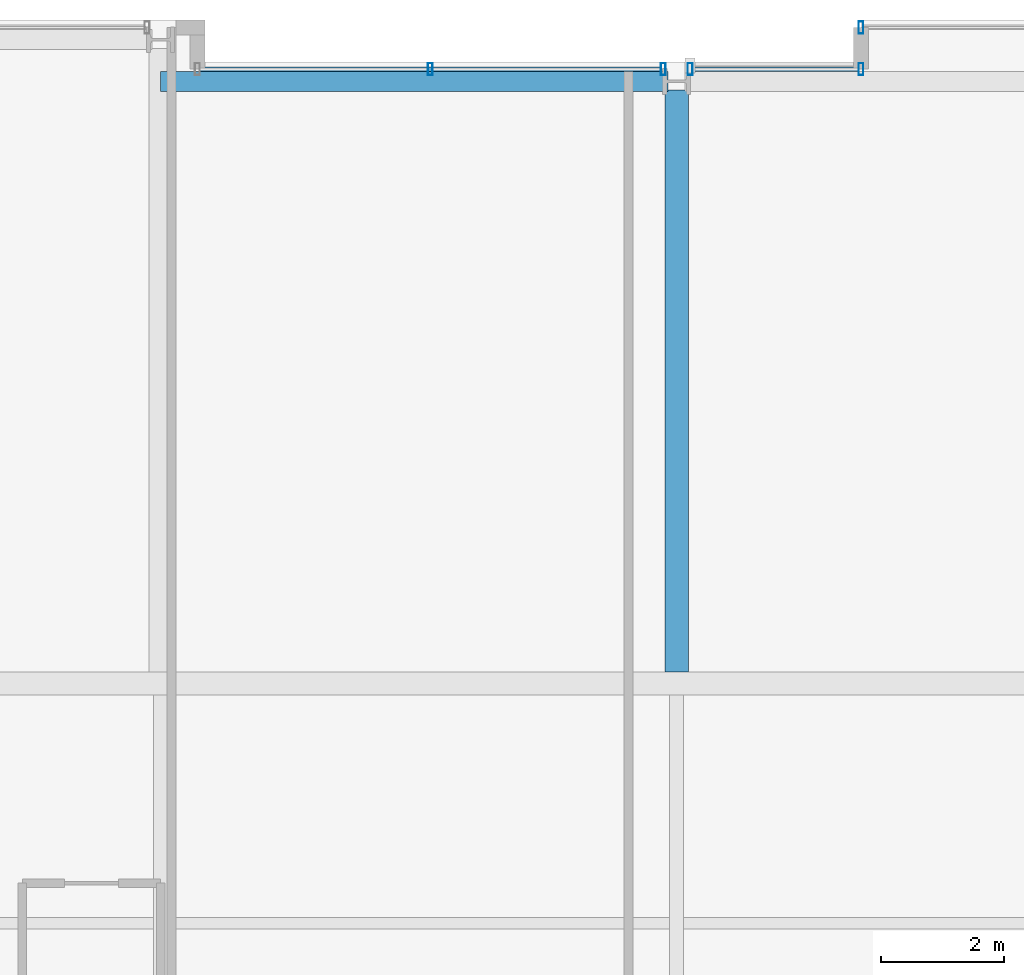
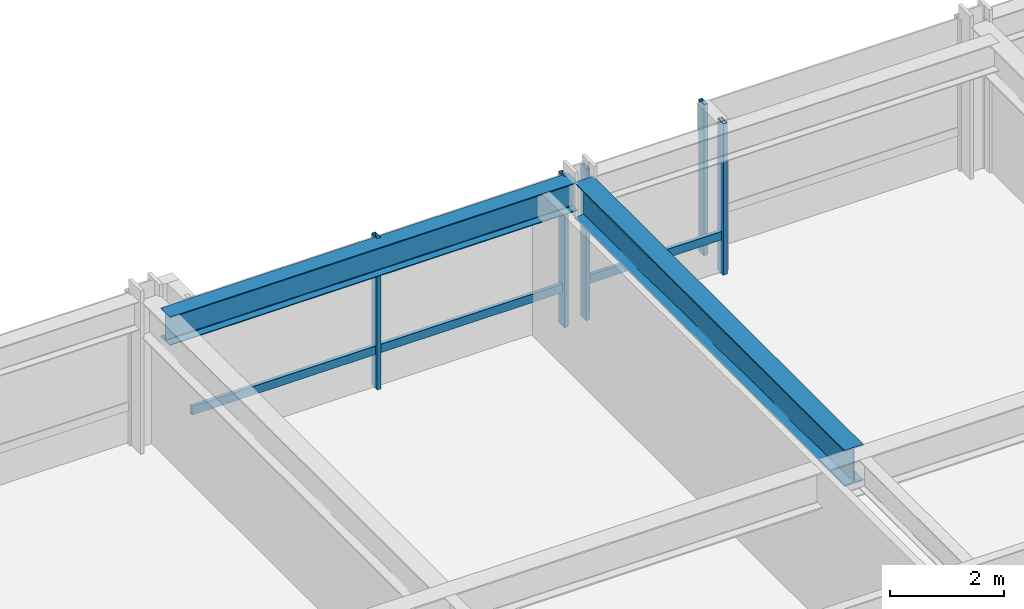
# One storey, part 22 of 34: 7 members, 2 beams, 3 elements without a shape of their own.
"""IFC4 building model written with IfcOpenShell, lengths in metres."""

from ifc_helpers import new_model, si_unit, direction, frame, origin, origin_2d, place, context, subcontext, project, spatial, hollow_rectangle, i_section, extrude, material, layer, layer_set, material_profile, profile_set, type_object, element, aggregate, save


model = new_model("IFC4")

# Units and contexts
model_context = context("Model", 3, precision=1e-05, world=origin(), true_north=direction((0.0, 1.0)))
body_context = subcontext(model_context, "Body", "Model", "MODEL_VIEW")
ifc_project = project(units=[si_unit("LENGTHUNIT", "METRE"), si_unit("AREAUNIT", "SQUARE_METRE"), si_unit("VOLUMEUNIT", "CUBIC_METRE"), si_unit("PLANEANGLEUNIT", "RADIAN"), si_unit("MASSUNIT", "GRAM", prefix="KILO")], contexts=[model_context])

# Site, building, storey
site_placement = place(None, origin())
site = spatial("IfcSite", under=ifc_project, at=site_placement, CompositionType="ELEMENT")
building_placement = place(site_placement, origin())
building = spatial("IfcBuilding", under=site, at=building_placement, Name="Drelvath Grand Hotel", CompositionType="ELEMENT")
storey_placement = place(building_placement, frame((0.0, 0.0, 102.300048828125)))
storey = spatial("IfcBuildingStorey", under=building, at=storey_placement, Name="L25", CompositionType="ELEMENT", Elevation=102.300048828125)

# Curtain wall, member
ifc_material_1 = material(Name="Champagne Bronze Anodised Aluminium Frame", Category="aluminium")
ifc_layer = layer(ifc_material_1, 0.199951171875)
ifc_layer_set = layer_set([ifc_layer], Name="Champagne Bronze Anodised Aluminium Frame")
curtain_wall_type = type_object("IfcCurtainWallType", Name="Stick Curtain Wall CW-03 Champagne Bronze Mid-Rise", PredefinedType="NOTDEFINED", material=ifc_layer_set)
curtain_wall_1_placement = place(storey_placement, origin())
curtain_wall_1 = element("IfcCurtainWall", 1, at=curtain_wall_1_placement, inside=storey, type_object=curtain_wall_type, Name="L25 CW-03 Curtain Wall CW03-L25-NM1", PredefinedType="NOTDEFINED")
ifc_material_profile_1 = material_profile(ifc_material_1, hollow_rectangle(XDim=0.074951171875, YDim=0.179931640625, WallThickness=0.0048828125, at=origin_2d()), Name="HSS180X75X5")
ifc_profile_set_1 = profile_set([ifc_material_profile_1], Name="Champagne Bronze Anodised Aluminium Frame")
member_type_1 = type_object("IfcMemberType", Name="Curtain Wall Horizontal Transom CW-03 HSS180X75X5", PredefinedType="USERDEFINED", material=ifc_profile_set_1)
member_1_placement = place(storey_placement, frame((-7.760009765625, 53.199951171875, 0.81005859375), z_axis=(1.0, 0.0, 0.0), x_axis=(0.0, 1.0, 0.0)))
member_1 = element("IfcMember", 2, at=member_1_placement, type_object=member_type_1, Name="CW03-L25-NM1 Sill Transom", ObjectType="TRANSOM", PredefinedType="USERDEFINED", context=body_context, shape_type="SweptSolid", body=[
    extrude(hollow_rectangle(XDim=0.074951171875, YDim=0.179931640625, WallThickness=0.0048828125, at=origin_2d()), origin(), (0.0, 0.0, 1.0), 7.50048828125),
])

curtain_wall_2_placement = place(storey_placement, origin())
curtain_wall_2 = element("IfcCurtainWall", 3, at=curtain_wall_2_placement, inside=storey, type_object=curtain_wall_type, Name="L25 CW-03 Curtain Wall CW03-L25-NM2", PredefinedType="NOTDEFINED")
member_2_placement = place(storey_placement, frame((0.259521484375, 53.199951171875, 0.81005859375), z_axis=(1.0, 0.0, 0.0), x_axis=(0.0, 1.0, 0.0)))
member_2 = element("IfcMember", 4, at=member_2_placement, type_object=member_type_1, Name="CW03-L25-NM2 Sill Transom", ObjectType="TRANSOM", PredefinedType="USERDEFINED", context=body_context, shape_type="SweptSolid", body=[
    extrude(hollow_rectangle(XDim=0.074951171875, YDim=0.179931640625, WallThickness=0.0048828125, at=origin_2d()), origin(), (0.0, 0.0, 1.0), 2.700439453125),
])

# Member
ifc_material_profile_2 = material_profile(ifc_material_1, hollow_rectangle(XDim=0.080078125, YDim=0.199951171875, WallThickness=0.0048828125, at=origin_2d()), Name="HSS200X80X5")
ifc_profile_set_2 = profile_set([ifc_material_profile_2], Name="Champagne Bronze Anodised Aluminium Frame")
member_type_2 = type_object("IfcMemberType", Name="Curtain Wall Vertical Mullion CW-03 HSS200X80X5", PredefinedType="MULLION", material=ifc_profile_set_2)
member_3_placement = place(storey_placement, frame((-4.009765625, 53.199951171875, 0.0), z_axis=(0.0, 0.0, 1.0), x_axis=(1.0, 0.0, 0.0)))
member_3 = element("IfcMember", 5, at=member_3_placement, type_object=member_type_2, Name="CW03-L25-NM1 Mullion 2", PredefinedType="MULLION", context=body_context, shape_type="SweptSolid", body=[
    extrude(hollow_rectangle(XDim=0.080078125, YDim=0.199951171875, WallThickness=0.0048828125, at=origin_2d()), origin(), (0.0, 0.0, 1.0), 3.239990234375),
])

member_4_placement = place(storey_placement, frame((-0.219482421875, 53.199951171875, 0.0), z_axis=(0.0, 0.0, 1.0), x_axis=(1.0, 0.0, 0.0)))
member_4 = element("IfcMember", 6, at=member_4_placement, type_object=member_type_2, Name="CW03-L25-NM1 Mullion 3", PredefinedType="MULLION", context=body_context, shape_type="SweptSolid", body=[
    extrude(hollow_rectangle(XDim=0.080078125, YDim=0.199951171875, WallThickness=0.0048828125, at=origin_2d()), origin(), (0.0, 0.0, 1.0), 3.239990234375),
])

aggregate(curtain_wall_1, [member_3, member_4, member_1])

member_5_placement = place(storey_placement, frame((0.219482421875, 53.199951171875, 0.0), z_axis=(0.0, 0.0, 1.0), x_axis=(1.0, 0.0, 0.0)))
member_5 = element("IfcMember", 7, at=member_5_placement, type_object=member_type_2, Name="CW03-L25-NM2 Mullion 1", PredefinedType="MULLION", context=body_context, shape_type="SweptSolid", body=[
    extrude(hollow_rectangle(XDim=0.080078125, YDim=0.199951171875, WallThickness=0.0048828125, at=origin_2d()), origin(), (0.0, 0.0, 1.0), 3.239990234375),
])

member_6_placement = place(storey_placement, frame((3.0, 53.199951171875, 0.0), z_axis=(0.0, 0.0, 1.0), x_axis=(1.0, 0.0, 0.0)))
member_6 = element("IfcMember", 8, at=member_6_placement, type_object=member_type_2, Name="CW03-L25-NM2 Mullion 2", PredefinedType="MULLION", context=body_context, shape_type="SweptSolid", body=[
    extrude(hollow_rectangle(XDim=0.080078125, YDim=0.199951171875, WallThickness=0.0048828125, at=origin_2d()), origin(), (0.0, 0.0, 1.0), 3.239990234375),
])

aggregate(curtain_wall_2, [member_5, member_6, member_2])

# Curtain wall, member
curtain_wall_3_placement = place(storey_placement, origin())
curtain_wall_3 = element("IfcCurtainWall", 9, at=curtain_wall_3_placement, inside=storey, type_object=curtain_wall_type, Name="L25 CW-03 Curtain Wall CW03-L25-NE1", PredefinedType="NOTDEFINED")
member_7_placement = place(storey_placement, frame((3.0, 53.8798828125, 0.0), z_axis=(0.0, 0.0, 1.0), x_axis=(1.0, 0.0, 0.0)))
member_7 = element("IfcMember", 10, at=member_7_placement, type_object=member_type_2, Name="CW03-L25-NE1 Mullion 1", PredefinedType="MULLION", context=body_context, shape_type="SweptSolid", body=[
    extrude(hollow_rectangle(XDim=0.080078125, YDim=0.199951171875, WallThickness=0.0048828125, at=origin_2d()), origin(), (0.0, 0.0, 1.0), 3.239990234375),
])
aggregate(curtain_wall_3, [member_7])

# Beams
ifc_material_2 = material(Name="Steel ASTM A992 Gr 50", Category="steel")
ifc_material_profile_3 = material_profile(ifc_material_2, i_section(OverallWidth=0.323974609375, OverallDepth=0.611083984375, WebThickness=0.0126953125, FlangeThickness=0.01904296875, FilletRadius=0.02197265625, at=origin_2d()), Name="W24X104")
ifc_profile_set_3 = profile_set([ifc_material_profile_3], Name="Steel ASTM A992 Gr 50")
beam_type_1 = type_object("IfcBeamType", Name="Perimeter Spandrel Beam W24X104", PredefinedType="SPANDREL", material=ifc_profile_set_3)
beam_1_placement = place(storey_placement, frame((-8.39990234375, 53.0, 2.9345703125), z_axis=(1.0, 0.0, 0.0), x_axis=(0.0, 1.0, 0.0)))
element("IfcBeam", 11, at=beam_1_placement, inside=storey, type_object=beam_type_1, Name="L25 Spandrel North Mid W", PredefinedType="SPANDREL", context=body_context, shape_type="SweptSolid", body=[
    extrude(i_section(OverallWidth=0.323974609375, OverallDepth=0.611083984375, WebThickness=0.0126953125, FlangeThickness=0.01904296875, FilletRadius=0.02197265625, at=origin_2d()), origin(), (0.0, 0.0, 1.0), 8.260009765625),
])
ifc_material_profile_4 = material_profile(ifc_material_2, i_section(OverallWidth=0.380615234375, OverallDepth=0.773193359375, WebThickness=0.0166015625, FlangeThickness=0.027099609375, FilletRadius=0.02490234375, at=origin_2d()), Name="W30X173")
ifc_profile_set_4 = profile_set([ifc_material_profile_4], Name="Steel ASTM A992 Gr 50")
beam_type_2 = type_object("IfcBeamType", Name="Primary Floor Girder W30X173", PredefinedType="BEAM", material=ifc_profile_set_4)
beam_2_placement = place(storey_placement, frame((0.0, 43.390380859375, 2.853271484375), z_axis=(0.0, 1.0, 0.0), x_axis=(-1.0, 0.0, 0.0)))
element("IfcBeam", 12, at=beam_2_placement, inside=storey, type_object=beam_type_2, Name="L25 North Wing Girder 5", PredefinedType="BEAM", context=body_context, shape_type="SweptSolid", body=[
    extrude(i_section(OverallWidth=0.380615234375, OverallDepth=0.773193359375, WebThickness=0.0166015625, FlangeThickness=0.027099609375, FilletRadius=0.02490234375, at=origin_2d()), origin(), (0.0, 0.0, 1.0), 9.4697265625),
])

save(model, "model.ifc")
